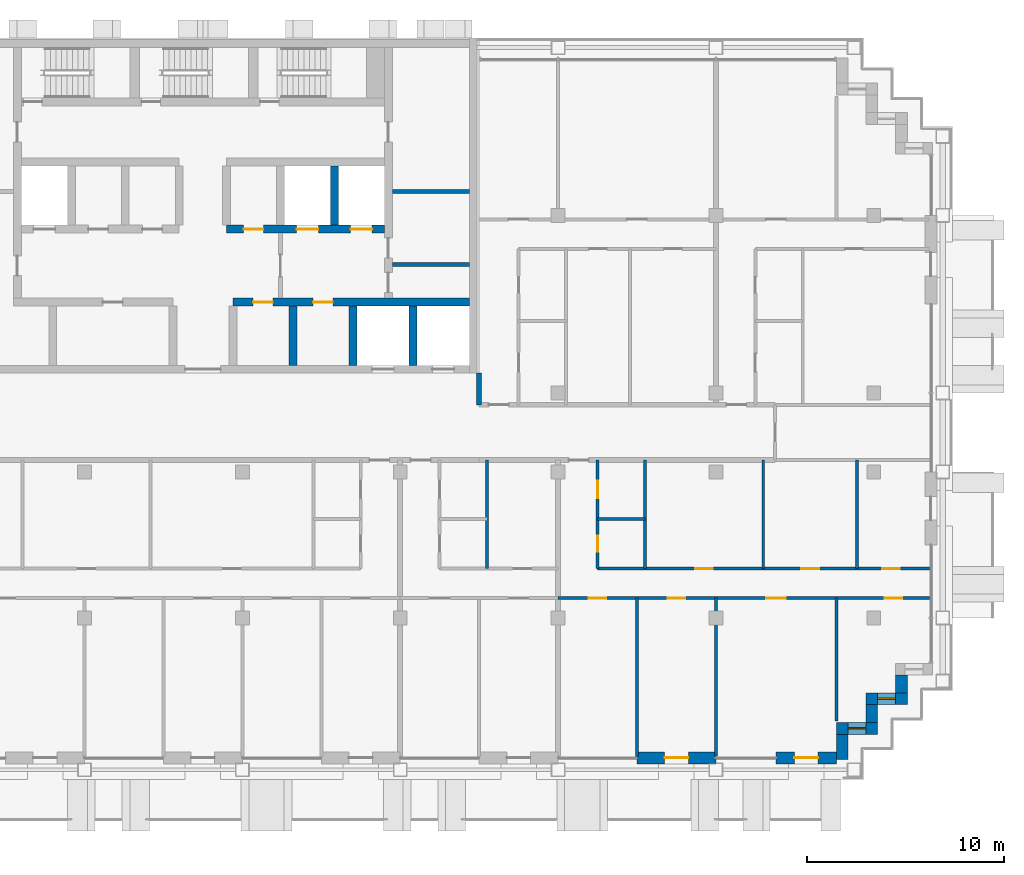
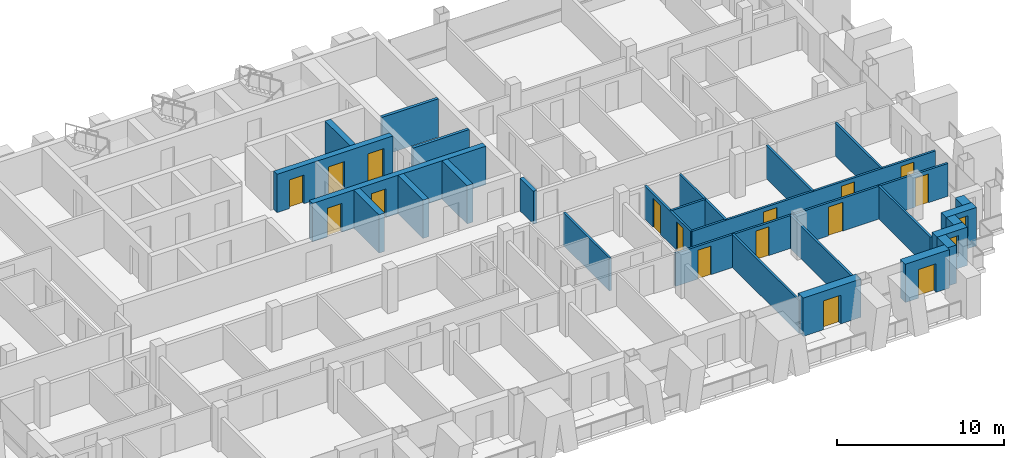
# One storey, part 10 of 16: 27 walls, 16 doors, 2 windows, 18 openings.
"""IFC4 building model written with IfcOpenShell, lengths in metres."""

from ifc_helpers import new_model, si_unit, direction, frame, frame_2d, origin, place, context, subcontext, project, spatial, rectangle, extrude, material, layer, layer_set, type_object, element, fill, save


model = new_model("IFC4")

# Units and contexts
model_context = context("Model", 3, precision=1e-05, world=origin(), true_north=direction((0.0, 1.0)))
body_context = subcontext(model_context, "Body", "Model", "MODEL_VIEW")
ifc_project = project(units=[si_unit("LENGTHUNIT", "METRE"), si_unit("AREAUNIT", "SQUARE_METRE"), si_unit("VOLUMEUNIT", "CUBIC_METRE"), si_unit("PLANEANGLEUNIT", "RADIAN"), si_unit("MASSUNIT", "GRAM", prefix="KILO")], contexts=[model_context])

# Site, building, storey
site_placement = place(None, origin())
site = spatial("IfcSite", under=ifc_project, at=site_placement, CompositionType="ELEMENT")
building_placement = place(site_placement, origin())
building = spatial("IfcBuilding", under=site, at=building_placement, Name="Vidyagriha Tower", CompositionType="ELEMENT")
storey_placement = place(building_placement, frame((0.0, 0.0, 190.89990234375)))
storey = spatial("IfcBuildingStorey", under=building, at=storey_placement, Name="L50", CompositionType="ELEMENT", Elevation=190.89990234375)

# Wall, opening, door
ifc_material_1 = material(Name="Precast concrete C40/50 with brick facing", Category="concrete")
ifc_layer_1 = layer(ifc_material_1, 0.60009765625)
ifc_layer_set_1 = layer_set([ifc_layer_1], Name="Precast concrete C40/50 with brick facing")
wall_type_1 = type_object("IfcWallType", Name="Brick-faced precast wall 600", PredefinedType="STANDARD", material=ifc_layer_set_1)
wall_1_placement = place(storey_placement, frame((22.0, -16.5, 0.0)))
wall_1 = element("IfcWall", 1, at=wall_1_placement, inside=storey, type_object=wall_type_1, Name="Brick door bay wall L50 R23.12", PredefinedType="STANDARD", context=body_context, shape_type="SweptSolid", body=[
    extrude(rectangle(XDim=4.0, YDim=0.60009765625, at=frame_2d((2.0, 0.0))), origin(), (0.0, 0.0, 1.0), 2.800048828125),
])
opening_1_placement = place(wall_1_placement, frame((1.39990234375, 0.0, 0.0)))
opening_1 = element("IfcOpeningElement", 2, at=opening_1_placement, cuts=wall_1, Name="Opening D50-77", PredefinedType="OPENING", context=body_context, shape_type="SweptSolid", body=[
    extrude(rectangle(XDim=1.199951171875, YDim=2.10009765625, at=frame_2d((0.60009765625, 1.050048828125))), frame((0.0, 0.31005859375, 0.0), z_axis=(0.0, -1.0, 0.0), x_axis=(1.0, 0.0, 0.0)), (0.0, 0.0, 1.0), 0.6201171875),
])
ifc_material_2 = material(Name="Aluminium framed glazed sliding door", Category="aluminium")
door_type_1 = type_object("IfcDoorType", Name="Balcony sliding door 1200x2100", OperationType="NOTDEFINED", PredefinedType="DOOR", material=ifc_material_2)
door_1_placement = place(opening_1_placement, origin())
door_1 = element("IfcDoor", 3, at=door_1_placement, inside=storey, type_object=door_type_1, Name="Door D50-77", OperationType="SLIDING_TO_LEFT", OverallHeight=2.10009765625, OverallWidth=1.199951171875, PredefinedType="DOOR", context=body_context, shape_type="SweptSolid", body=[
    extrude(rectangle(XDim=1.199951171875, YDim=2.10009765625, at=frame_2d((0.60009765625, 1.050048828125))), frame((0.0, 0.02490234375, 0.0), z_axis=(0.0, -1.0, 0.0), x_axis=(1.0, 0.0, 0.0)), (0.0, 0.0, 1.0), 0.050048828125),
])
fill(opening_1, door_1)

wall_2_placement = place(storey_placement, frame((29.050048828125, -16.5, 0.0)))
wall_2 = element("IfcWall", 4, at=wall_2_placement, inside=storey, type_object=wall_type_1, Name="Brick door bay wall L50 R23.14", PredefinedType="STANDARD", context=body_context, shape_type="SweptSolid", body=[
    extrude(rectangle(XDim=3.050048828125, YDim=0.60009765625, at=frame_2d((1.52490234375, 0.0))), origin(), (0.0, 0.0, 1.0), 2.800048828125),
])
opening_2_placement = place(wall_2_placement, frame((0.925048828125, 0.0, 0.0)))
opening_2 = element("IfcOpeningElement", 5, at=opening_2_placement, cuts=wall_2, Name="Opening D50-78", PredefinedType="OPENING", context=body_context, shape_type="SweptSolid", body=[
    extrude(rectangle(XDim=1.199951171875, YDim=2.10009765625, at=frame_2d((0.60009765625, 1.050048828125))), frame((0.0, 0.31005859375, 0.0), z_axis=(0.0, -1.0, 0.0), x_axis=(1.0, 0.0, 0.0)), (0.0, 0.0, 1.0), 0.6201171875),
])
door_2_placement = place(opening_2_placement, origin())
door_2 = element("IfcDoor", 6, at=door_2_placement, inside=storey, type_object=door_type_1, Name="Door D50-78", OperationType="SLIDING_TO_LEFT", OverallHeight=2.10009765625, OverallWidth=1.199951171875, PredefinedType="DOOR", context=body_context, shape_type="SweptSolid", body=[
    extrude(rectangle(XDim=1.199951171875, YDim=2.10009765625, at=frame_2d((0.60009765625, 1.050048828125))), frame((0.0, 0.02490234375, 0.0), z_axis=(0.0, -1.0, 0.0), x_axis=(1.0, 0.0, 0.0)), (0.0, 0.0, 1.0), 0.050048828125),
])
fill(opening_2, door_2)

# Wall
wall_3_placement = place(storey_placement, frame((32.39990234375, -16.580078125, 0.0), z_axis=(0.0, 0.0, 1.0), x_axis=(0.0, 1.0, 0.0)))
element("IfcWall", 7, at=wall_3_placement, inside=storey, type_object=wall_type_1, Name="Stepped corner wall L50 R24", PredefinedType="STANDARD", context=body_context, shape_type="SweptSolid", body=[
    extrude(rectangle(XDim=1.280029296875, YDim=0.60009765625, at=frame_2d((0.64013671875, 0.0))), origin(), (0.0, 0.0, 1.0), 2.800048828125),
])

# Wall, opening, window
wall_4_placement = place(storey_placement, frame((32.10009765625, -15.0, 0.0)))
wall_4 = element("IfcWall", 8, at=wall_4_placement, inside=storey, type_object=wall_type_1, Name="Stepped corner wall L50 R25", PredefinedType="STANDARD", context=body_context, shape_type="SweptSolid", body=[
    extrude(rectangle(XDim=2.099853515625, YDim=0.60009765625, at=frame_2d((1.0498046875, 0.0))), origin(), (0.0, 0.0, 1.0), 2.800048828125),
])
opening_3_placement = place(wall_4_placement, frame((0.60009765625, 0.0, 0.89990234375)))
opening_3 = element("IfcOpeningElement", 9, at=opening_3_placement, cuts=wall_4, Name="Opening WN1", PredefinedType="OPENING", context=body_context, shape_type="SweptSolid", body=[
    extrude(rectangle(XDim=0.89990234375, YDim=1.5, at=frame_2d((0.449951171875, 0.75))), frame((0.0, 0.31005859375, 0.0), z_axis=(0.0, -1.0, 0.0), x_axis=(1.0, 0.0, 0.0)), (0.0, 0.0, 1.0), 0.6201171875),
])
ifc_material_3 = material(Name="Aluminium and glass window", Category="aluminium")
window_type = type_object("IfcWindowType", Name="Reveal window 900x1500", PartitioningType="NOTDEFINED", PredefinedType="WINDOW", material=ifc_material_3)
window_1_placement = place(opening_3_placement, origin())
window_1 = element("IfcWindow", 10, at=window_1_placement, inside=storey, type_object=window_type, Name="Reveal window L50 R25", OverallHeight=1.5, OverallWidth=0.89990234375, PartitioningType="SINGLE_PANEL", PredefinedType="WINDOW", context=body_context, shape_type="SweptSolid", body=[
    extrude(rectangle(XDim=0.89990234375, YDim=1.5, at=frame_2d((0.449951171875, 0.75))), frame((0.0, 0.030029296875, 0.0), z_axis=(0.0, -1.0, 0.0), x_axis=(1.0, 0.0, 0.0)), (0.0, 0.0, 1.0), 0.06005859375),
])
fill(opening_3, window_1)

# Wall
wall_5_placement = place(storey_placement, frame((33.89990234375, -14.699951171875, 0.0), z_axis=(0.0, 0.0, 1.0), x_axis=(0.0, 1.0, 0.0)))
element("IfcWall", 11, at=wall_5_placement, inside=storey, type_object=wall_type_1, Name="Stepped corner wall L50 R26", PredefinedType="STANDARD", context=body_context, shape_type="SweptSolid", body=[
    extrude(rectangle(XDim=0.89990234375, YDim=0.60009765625, at=frame_2d((0.449951171875, 0.0))), origin(), (0.0, 0.0, 1.0), 2.800048828125),
])

# Wall, opening, window
wall_6_placement = place(storey_placement, frame((33.60009765625, -13.5, 0.0)))
wall_6 = element("IfcWall", 12, at=wall_6_placement, inside=storey, type_object=wall_type_1, Name="Stepped corner wall L50 R27", PredefinedType="STANDARD", context=body_context, shape_type="SweptSolid", body=[
    extrude(rectangle(XDim=2.099853515625, YDim=0.60009765625, at=frame_2d((1.0498046875, 0.0))), origin(), (0.0, 0.0, 1.0), 2.800048828125),
])
opening_4_placement = place(wall_6_placement, frame((0.60009765625, 0.0, 0.89990234375)))
opening_4 = element("IfcOpeningElement", 13, at=opening_4_placement, cuts=wall_6, Name="Opening WN1", PredefinedType="OPENING", context=body_context, shape_type="SweptSolid", body=[
    extrude(rectangle(XDim=0.89990234375, YDim=1.5, at=frame_2d((0.449951171875, 0.75))), frame((0.0, 0.31005859375, 0.0), z_axis=(0.0, -1.0, 0.0), x_axis=(1.0, 0.0, 0.0)), (0.0, 0.0, 1.0), 0.6201171875),
])
window_2_placement = place(opening_4_placement, origin())
window_2 = element("IfcWindow", 14, at=window_2_placement, inside=storey, type_object=window_type, Name="Reveal window L50 R27", OverallHeight=1.5, OverallWidth=0.89990234375, PartitioningType="SINGLE_PANEL", PredefinedType="WINDOW", context=body_context, shape_type="SweptSolid", body=[
    extrude(rectangle(XDim=0.89990234375, YDim=1.5, at=frame_2d((0.449951171875, 0.75))), frame((0.0, 0.030029296875, 0.0), z_axis=(0.0, -1.0, 0.0), x_axis=(1.0, 0.0, 0.0)), (0.0, 0.0, 1.0), 0.06005859375),
])
fill(opening_4, window_2)

# Wall
wall_7_placement = place(storey_placement, frame((35.39990234375, -13.199951171875, 0.0), z_axis=(0.0, 0.0, 1.0), x_axis=(0.0, 1.0, 0.0)))
element("IfcWall", 15, at=wall_7_placement, inside=storey, type_object=wall_type_1, Name="Stepped corner wall L50 R28", PredefinedType="STANDARD", context=body_context, shape_type="SweptSolid", body=[
    extrude(rectangle(XDim=0.89990234375, YDim=0.60009765625, at=frame_2d((0.449951171875, 0.0))), origin(), (0.0, 0.0, 1.0), 2.800048828125),
])

# Wall, openings, doors
ifc_material_4 = material(Name="Concrete C60/75", Category="concrete")
ifc_layer_2 = layer(ifc_material_4, 0.39990234375)
ifc_layer_set_2 = layer_set([ifc_layer_2], Name="Concrete C60/75")
wall_type_2 = type_object("IfcWallType", Name="Core shear wall 400 mm", PredefinedType="SHEAR", material=ifc_layer_set_2)
wall_8_placement = place(storey_placement, frame((1.522216796875, 6.60009765625, 0.0)))
wall_8 = element("IfcWall", 16, at=wall_8_placement, inside=storey, type_object=wall_type_2, Name="Core lobby south wall east", PredefinedType="SHEAR", context=body_context, shape_type="SweptSolid", body=[
    extrude(rectangle(XDim=11.977783203125, YDim=0.39990234375, at=frame_2d((5.98876953125, 0.0))), origin(), (0.0, 0.0, 1.0), 2.800048828125),
])
opening_5_placement = place(wall_8_placement, frame((1.022216796875, 0.0, 0.0)))
opening_5 = element("IfcOpeningElement", 17, at=opening_5_placement, cuts=wall_8, Name="Opening D50-03", PredefinedType="OPENING", context=body_context, shape_type="SweptSolid", body=[
    extrude(rectangle(XDim=1.0, YDim=2.10009765625, at=frame_2d((0.5, 1.050048828125))), frame((0.0, 0.2099609375, 0.0), z_axis=(0.0, -1.0, 0.0), x_axis=(1.0, 0.0, 0.0)), (0.0, 0.0, 1.0), 0.419921875),
])
opening_6_placement = place(wall_8_placement, frame((4.066650390625, 0.0, 0.0)))
opening_6 = element("IfcOpeningElement", 18, at=opening_6_placement, cuts=wall_8, Name="Opening D50-04", PredefinedType="OPENING", context=body_context, shape_type="SweptSolid", body=[
    extrude(rectangle(XDim=1.0, YDim=2.10009765625, at=frame_2d((0.5, 1.050048828125))), frame((0.0, 0.2099609375, 0.0), z_axis=(0.0, -1.0, 0.0), x_axis=(1.0, 0.0, 0.0)), (0.0, 0.0, 1.0), 0.419921875),
])
ifc_material_5 = material(Name="Hollow metal door leaf")
door_type_2 = type_object("IfcDoorType", Name="Core room door 1000 x 2100 mm EI 60", OperationType="NOTDEFINED", PredefinedType="DOOR", material=ifc_material_5)
door_3_placement = place(opening_5_placement, origin())
door_3 = element("IfcDoor", 19, at=door_3_placement, inside=storey, type_object=door_type_2, Name="Door Storage Room 50.02", OperationType="SINGLE_SWING_RIGHT", OverallHeight=2.10009765625, OverallWidth=1.0, PredefinedType="DOOR", context=body_context, shape_type="SweptSolid", body=[
    extrude(rectangle(XDim=1.0, YDim=2.10009765625, at=frame_2d((0.5, 1.050048828125))), frame((0.0, 0.02490234375, 0.0), z_axis=(0.0, -1.0, 0.0), x_axis=(1.0, 0.0, 0.0)), (0.0, 0.0, 1.0), 0.050048828125),
])
fill(opening_5, door_3)
door_4_placement = place(opening_6_placement, origin())
door_4 = element("IfcDoor", 20, at=door_4_placement, inside=storey, type_object=door_type_2, Name="Door Electrical Room 50.03", OperationType="SINGLE_SWING_RIGHT", OverallHeight=2.10009765625, OverallWidth=1.0, PredefinedType="DOOR", context=body_context, shape_type="SweptSolid", body=[
    extrude(rectangle(XDim=1.0, YDim=2.10009765625, at=frame_2d((0.5, 1.050048828125))), frame((0.0, 0.02490234375, 0.0), z_axis=(0.0, -1.0, 0.0), x_axis=(1.0, 0.0, 0.0)), (0.0, 0.0, 1.0), 0.050048828125),
])
fill(opening_6, door_4)

# Walls
for number, where, z_axis, x_axis, name in (
    (21, (4.566650390625, 3.39990234375, 0.0), (0.0, 0.0, 1.0), (0.0, 1.0, 0.0), "Core bay wall S6"),
    (22, (7.611083984375, 3.39990234375, 0.0), (0.0, 0.0, 1.0), (0.0, 1.0, 0.0), "Core bay wall S7"),
    (23, (10.655517578125, 3.39990234375, 0.0), (0.0, 0.0, 1.0), (0.0, 1.0, 0.0), "Core bay wall S8"),
):
    element("IfcWall", number, at=place(storey_placement, frame(where, z_axis=z_axis, x_axis=x_axis)), inside=storey, type_object=wall_type_2, Name=name, PredefinedType="SHEAR", context=body_context, shape_type="SweptSolid", body=[
        extrude(rectangle(XDim=3.0, YDim=0.39990234375, at=frame_2d((1.5, 0.0))), origin(), (0.0, 0.0, 1.0), 2.800048828125),
    ])

# Wall, openings, doors
wall_9_placement = place(storey_placement, frame((1.199951171875, 10.300048828125, 0.0)))
wall_9 = element("IfcWall", 24, at=wall_9_placement, inside=storey, type_object=wall_type_2, Name="Core row N front wall", PredefinedType="SHEAR", context=body_context, shape_type="SweptSolid", body=[
    extrude(rectangle(XDim=8.0, YDim=0.39990234375, at=frame_2d((4.0, 0.0))), origin(), (0.0, 0.0, 1.0), 2.800048828125),
])
opening_7_placement = place(wall_9_placement, frame((3.550048828125, 0.0, 0.0)))
opening_7 = element("IfcOpeningElement", 25, at=opening_7_placement, cuts=wall_9, Name="Opening LD50-04", PredefinedType="OPENING", context=body_context, shape_type="SweptSolid", body=[
    extrude(rectangle(XDim=1.10009765625, YDim=2.10009765625, at=frame_2d((0.550048828125, 1.050048828125))), frame((0.0, 0.2099609375, 0.0), z_axis=(0.0, -1.0, 0.0), x_axis=(1.0, 0.0, 0.0)), (0.0, 0.0, 1.0), 0.419921875),
])
opening_8_placement = place(wall_9_placement, frame((6.283203125, 0.0, 0.0)))
opening_8 = element("IfcOpeningElement", 26, at=opening_8_placement, cuts=wall_9, Name="Opening LD50-05", PredefinedType="OPENING", context=body_context, shape_type="SweptSolid", body=[
    extrude(rectangle(XDim=1.10009765625, YDim=2.10009765625, at=frame_2d((0.550048828125, 1.050048828125))), frame((0.0, 0.2099609375, 0.0), z_axis=(0.0, -1.0, 0.0), x_axis=(1.0, 0.0, 0.0)), (0.0, 0.0, 1.0), 0.419921875),
])
opening_9_placement = place(wall_9_placement, frame((0.86669921875, 0.0, 0.0)))
opening_9 = element("IfcOpeningElement", 27, at=opening_9_placement, cuts=wall_9, Name="Opening D50-07", PredefinedType="OPENING", context=body_context, shape_type="SweptSolid", body=[
    extrude(rectangle(XDim=1.0, YDim=2.10009765625, at=frame_2d((0.5, 1.050048828125))), frame((0.0, 0.2099609375, 0.0), z_axis=(0.0, -1.0, 0.0), x_axis=(1.0, 0.0, 0.0)), (0.0, 0.0, 1.0), 0.419921875),
])
door_5_placement = place(opening_9_placement, frame((1.0, 0.0, 0.0), z_axis=(0.0, 0.0, 1.0), x_axis=(-1.0, 0.0, 0.0)))
door_5 = element("IfcDoor", 28, at=door_5_placement, inside=storey, type_object=door_type_2, Name="Door Storage Room 50.16", OperationType="SINGLE_SWING_LEFT", OverallHeight=2.10009765625, OverallWidth=1.0, PredefinedType="DOOR", context=body_context, shape_type="SweptSolid", body=[
    extrude(rectangle(XDim=1.0, YDim=2.10009765625, at=frame_2d((0.5, 1.050048828125))), frame((0.0, 0.02490234375, 0.0), z_axis=(0.0, -1.0, 0.0), x_axis=(1.0, 0.0, 0.0)), (0.0, 0.0, 1.0), 0.050048828125),
])
fill(opening_9, door_5)
ifc_material_6 = material(Name="Stainless steel sliding door panel", Category="steel")
door_type_3 = type_object("IfcDoorType", Name="Lift landing door 1100 x 2100 mm EI 90", OperationType="NOTDEFINED", PredefinedType="DOOR", material=ifc_material_6)
door_6_placement = place(opening_7_placement, origin())
door_6 = element("IfcDoor", 29, at=door_6_placement, inside=storey, type_object=door_type_3, Name="Landing door FF1 L50", OperationType="SLIDING_TO_LEFT", OverallHeight=2.10009765625, OverallWidth=1.10009765625, PredefinedType="DOOR", context=body_context, shape_type="SweptSolid", body=[
    extrude(rectangle(XDim=1.10009765625, YDim=2.10009765625, at=frame_2d((0.550048828125, 1.050048828125))), frame((0.0, 0.02490234375, 0.0), z_axis=(0.0, -1.0, 0.0), x_axis=(1.0, 0.0, 0.0)), (0.0, 0.0, 1.0), 0.050048828125),
])
fill(opening_7, door_6)
door_7_placement = place(opening_8_placement, origin())
door_7 = element("IfcDoor", 30, at=door_7_placement, inside=storey, type_object=door_type_3, Name="Landing door FF2 L50", OperationType="SLIDING_TO_LEFT", OverallHeight=2.10009765625, OverallWidth=1.10009765625, PredefinedType="DOOR", context=body_context, shape_type="SweptSolid", body=[
    extrude(rectangle(XDim=1.10009765625, YDim=2.10009765625, at=frame_2d((0.550048828125, 1.050048828125))), frame((0.0, 0.02490234375, 0.0), z_axis=(0.0, -1.0, 0.0), x_axis=(1.0, 0.0, 0.0)), (0.0, 0.0, 1.0), 0.050048828125),
])
fill(opening_8, door_7)

# Walls
wall_10_placement = place(storey_placement, frame((6.666748046875, 10.5, 0.0), z_axis=(0.0, 0.0, 1.0), x_axis=(0.0, 1.0, 0.0)))
element("IfcWall", 31, at=wall_10_placement, inside=storey, type_object=wall_type_2, Name="Core bay wall N6", PredefinedType="SHEAR", context=body_context, shape_type="SweptSolid", body=[
    extrude(rectangle(XDim=3.0, YDim=0.39990234375, at=frame_2d((1.5, 0.0))), origin(), (0.0, 0.0, 1.0), 2.800048828125),
])
ifc_material_7 = material(Name="Fired clay brick masonry", Category="masonry")
ifc_layer_3 = layer(ifc_material_7, 0.25)
ifc_layer_set_3 = layer_set([ifc_layer_3], Name="Fired clay brick masonry")
wall_type_3 = type_object("IfcWallType", Name="Fired clay brick corridor wall 250", PredefinedType="PARTITIONING", material=ifc_layer_set_3)
wall_11_placement = place(storey_placement, frame((14.0, 1.39990234375, 0.0), z_axis=(0.0, 0.0, 1.0), x_axis=(0.0, 1.0, 0.0)))
element("IfcWall", 32, at=wall_11_placement, inside=storey, type_object=wall_type_3, Name="Wall all-L50-w119", PredefinedType="PARTITIONING", context=body_context, shape_type="SweptSolid", body=[
    extrude(rectangle(XDim=1.60009765625, YDim=0.25, at=frame_2d((0.800048828125, 0.0))), origin(), (0.0, 0.0, 1.0), 2.400146484375),
])
ifc_material_8 = material(Name="Gypsum board partition")
ifc_layer_4 = layer(ifc_material_8, 0.14990234375)
ifc_layer_set_4 = layer_set([ifc_layer_4], Name="Gypsum board partition")
wall_type_4 = type_object("IfcWallType", Name="Gypsum board partition 150", PredefinedType="PARTITIONING", material=ifc_layer_set_4)
wall_12_placement = place(storey_placement, frame((14.39990234375, -1.39990234375, 0.0), z_axis=(0.0, 0.0, 1.0), x_axis=(0.0, -1.0, 0.0)))
element("IfcWall", 33, at=wall_12_placement, inside=storey, type_object=wall_type_4, Name="Wall all-L50-w040", PredefinedType="PARTITIONING", context=body_context, shape_type="SweptSolid", body=[
    extrude(rectangle(XDim=5.5, YDim=0.14990234375, at=frame_2d((2.75, 0.0))), origin(), (0.0, 0.0, 1.0), 2.400146484375),
])
wall_13_placement = place(storey_placement, frame((22.39990234375, -4.39990234375, 0.0), z_axis=(0.0, 0.0, 1.0), x_axis=(-1.0, 0.0, 0.0)))
element("IfcWall", 34, at=wall_13_placement, inside=storey, type_object=wall_type_4, Name="Wall all-L50-w052", PredefinedType="PARTITIONING", context=body_context, shape_type="SweptSolid", body=[
    extrude(rectangle(XDim=2.39990234375, YDim=0.14990234375, at=frame_2d((1.199951171875, 0.0))), origin(), (0.0, 0.0, 1.0), 2.400146484375),
])
for number, where, z_axis, x_axis, name in (
    (35, (22.39990234375, -1.39990234375, 0.0), (0.0, 0.0, 1.0), (0.0, -1.0, 0.0), "Wall all-L50-w053"),
    (36, (28.39990234375, -1.39990234375, 0.0), (0.0, 0.0, 1.0), (0.0, -1.0, 0.0), "Wall all-L50-w054"),
    (37, (33.14990234375, -1.39990234375, 0.0), (0.0, 0.0, 1.0), (0.0, -1.0, 0.0), "Wall all-L50-w055"),
):
    element("IfcWall", number, at=place(storey_placement, frame(where, z_axis=z_axis, x_axis=x_axis)), inside=storey, type_object=wall_type_4, Name=name, PredefinedType="PARTITIONING", context=body_context, shape_type="SweptSolid", body=[
        extrude(rectangle(XDim=5.5, YDim=0.14990234375, at=frame_2d((2.75, 0.0))), origin(), (0.0, 0.0, 1.0), 2.400146484375),
    ])

# Wall, openings, doors
wall_14_placement = place(storey_placement, frame((20.0, -6.89990234375, 0.0)))
wall_14 = element("IfcWall", 38, at=wall_14_placement, inside=storey, type_object=wall_type_4, Name="Wall all-L50-w056", PredefinedType="PARTITIONING", context=body_context, shape_type="SweptSolid", body=[
    extrude(rectangle(XDim=16.820068359375, YDim=0.14990234375, at=frame_2d((8.41015625, 0.0))), origin(), (0.0, 0.0, 1.0), 2.400146484375),
])
opening_10_placement = place(wall_14_placement, frame((4.949951171875, 0.0, 0.0)))
opening_10 = element("IfcOpeningElement", 39, at=opening_10_placement, cuts=wall_14, Name="Opening D50-42", PredefinedType="OPENING", context=body_context, shape_type="SweptSolid", body=[
    extrude(rectangle(XDim=0.89990234375, YDim=2.10009765625, at=frame_2d((0.449951171875, 1.050048828125))), frame((0.0, 0.0849609375, 0.0), z_axis=(0.0, -1.0, 0.0), x_axis=(1.0, 0.0, 0.0)), (0.0, 0.0, 1.0), 0.169921875),
])
opening_11_placement = place(wall_14_placement, frame((10.324951171875, 0.0, 0.0)))
opening_11 = element("IfcOpeningElement", 40, at=opening_11_placement, cuts=wall_14, Name="Opening D50-43", PredefinedType="OPENING", context=body_context, shape_type="SweptSolid", body=[
    extrude(rectangle(XDim=0.89990234375, YDim=2.10009765625, at=frame_2d((0.449951171875, 1.050048828125))), frame((0.0, 0.0849609375, 0.0), z_axis=(0.0, -1.0, 0.0), x_axis=(1.0, 0.0, 0.0)), (0.0, 0.0, 1.0), 0.169921875),
])
opening_12_placement = place(wall_14_placement, frame((14.425048828125, 0.0, 0.0)))
opening_12 = element("IfcOpeningElement", 41, at=opening_12_placement, cuts=wall_14, Name="Opening D50-44", PredefinedType="OPENING", context=body_context, shape_type="SweptSolid", body=[
    extrude(rectangle(XDim=0.89990234375, YDim=2.10009765625, at=frame_2d((0.449951171875, 1.050048828125))), frame((0.0, 0.0849609375, 0.0), z_axis=(0.0, -1.0, 0.0), x_axis=(1.0, 0.0, 0.0)), (0.0, 0.0, 1.0), 0.169921875),
])
ifc_material_9 = material(Name="Timber door leaf", Category="wood")
door_type_4 = type_object("IfcDoorType", Name="Room door 900x2100", OperationType="NOTDEFINED", PredefinedType="DOOR", material=ifc_material_9)
door_8_placement = place(opening_10_placement, origin())
door_8 = element("IfcDoor", 42, at=door_8_placement, inside=storey, type_object=door_type_4, Name="Door D50-42", OperationType="SINGLE_SWING_RIGHT", OverallHeight=2.10009765625, OverallWidth=0.89990234375, PredefinedType="DOOR", context=body_context, shape_type="SweptSolid", body=[
    extrude(rectangle(XDim=0.89990234375, YDim=2.10009765625, at=frame_2d((0.449951171875, 1.050048828125))), frame((0.0, 0.02490234375, 0.0), z_axis=(0.0, -1.0, 0.0), x_axis=(1.0, 0.0, 0.0)), (0.0, 0.0, 1.0), 0.050048828125),
])
fill(opening_10, door_8)
door_9_placement = place(opening_11_placement, origin())
door_9 = element("IfcDoor", 43, at=door_9_placement, inside=storey, type_object=door_type_4, Name="Door D50-43", OperationType="SINGLE_SWING_RIGHT", OverallHeight=2.10009765625, OverallWidth=0.89990234375, PredefinedType="DOOR", context=body_context, shape_type="SweptSolid", body=[
    extrude(rectangle(XDim=0.89990234375, YDim=2.10009765625, at=frame_2d((0.449951171875, 1.050048828125))), frame((0.0, 0.02490234375, 0.0), z_axis=(0.0, -1.0, 0.0), x_axis=(1.0, 0.0, 0.0)), (0.0, 0.0, 1.0), 0.050048828125),
])
fill(opening_11, door_9)
door_10_placement = place(opening_12_placement, origin())
door_10 = element("IfcDoor", 44, at=door_10_placement, inside=storey, type_object=door_type_4, Name="Door D50-44", OperationType="SINGLE_SWING_RIGHT", OverallHeight=2.10009765625, OverallWidth=0.89990234375, PredefinedType="DOOR", context=body_context, shape_type="SweptSolid", body=[
    extrude(rectangle(XDim=0.89990234375, YDim=2.10009765625, at=frame_2d((0.449951171875, 1.050048828125))), frame((0.0, 0.02490234375, 0.0), z_axis=(0.0, -1.0, 0.0), x_axis=(1.0, 0.0, 0.0)), (0.0, 0.0, 1.0), 0.050048828125),
])
fill(opening_12, door_10)

wall_15_placement = place(storey_placement, frame((36.820068359375, -8.39990234375, 0.0), z_axis=(0.0, 0.0, 1.0), x_axis=(-1.0, 0.0, 0.0)))
wall_15 = element("IfcWall", 45, at=wall_15_placement, inside=storey, type_object=wall_type_4, Name="Wall all-L50-w060", PredefinedType="PARTITIONING", context=body_context, shape_type="SweptSolid", body=[
    extrude(rectangle(XDim=18.820068359375, YDim=0.14990234375, at=frame_2d((9.41015625, 0.0))), origin(), (0.0, 0.0, 1.0), 2.400146484375),
])
opening_13_placement = place(wall_15_placement, frame((16.3701171875, 0.0, 0.0)))
opening_13 = element("IfcOpeningElement", 46, at=opening_13_placement, cuts=wall_15, Name="Opening D50-45", PredefinedType="OPENING", context=body_context, shape_type="SweptSolid", body=[
    extrude(rectangle(XDim=0.89990234375, YDim=2.10009765625, at=frame_2d((0.449951171875, 1.050048828125))), frame((0.0, 0.0849609375, 0.0), z_axis=(0.0, -1.0, 0.0), x_axis=(1.0, 0.0, 0.0)), (0.0, 0.0, 1.0), 0.169921875),
])
opening_14_placement = place(wall_15_placement, frame((12.3701171875, 0.0, 0.0)))
opening_14 = element("IfcOpeningElement", 47, at=opening_14_placement, cuts=wall_15, Name="Opening D50-46", PredefinedType="OPENING", context=body_context, shape_type="SweptSolid", body=[
    extrude(rectangle(XDim=0.89990234375, YDim=2.10009765625, at=frame_2d((0.449951171875, 1.050048828125))), frame((0.0, 0.0849609375, 0.0), z_axis=(0.0, -1.0, 0.0), x_axis=(1.0, 0.0, 0.0)), (0.0, 0.0, 1.0), 0.169921875),
])
opening_15_placement = place(wall_15_placement, frame((7.27001953125, 0.0, 0.0)))
opening_15 = element("IfcOpeningElement", 48, at=opening_15_placement, cuts=wall_15, Name="Opening D50-47", PredefinedType="OPENING", context=body_context, shape_type="SweptSolid", body=[
    extrude(rectangle(XDim=1.0, YDim=2.10009765625, at=frame_2d((0.5, 1.050048828125))), frame((0.0, 0.0849609375, 0.0), z_axis=(0.0, -1.0, 0.0), x_axis=(1.0, 0.0, 0.0)), (0.0, 0.0, 1.0), 0.169921875),
])
opening_16_placement = place(wall_15_placement, frame((1.373046875, 0.0, 0.0)))
opening_16 = element("IfcOpeningElement", 49, at=opening_16_placement, cuts=wall_15, Name="Opening D50-48", PredefinedType="OPENING", context=body_context, shape_type="SweptSolid", body=[
    extrude(rectangle(XDim=0.89990234375, YDim=2.10009765625, at=frame_2d((0.449951171875, 1.050048828125))), frame((0.0, 0.0849609375, 0.0), z_axis=(0.0, -1.0, 0.0), x_axis=(1.0, 0.0, 0.0)), (0.0, 0.0, 1.0), 0.169921875),
])
ifc_material_10 = material(Name="Timber door leaf", Category="wood")
door_type_5 = type_object("IfcDoorType", Name="Room door 1000x2100", OperationType="NOTDEFINED", PredefinedType="DOOR", material=ifc_material_10)
door_11_placement = place(opening_15_placement, origin())
door_11 = element("IfcDoor", 50, at=door_11_placement, inside=storey, type_object=door_type_5, Name="Door D50-47", OperationType="SINGLE_SWING_RIGHT", OverallHeight=2.10009765625, OverallWidth=1.0, PredefinedType="DOOR", context=body_context, shape_type="SweptSolid", body=[
    extrude(rectangle(XDim=1.0, YDim=2.10009765625, at=frame_2d((0.5, 1.050048828125))), frame((0.0, 0.02490234375, 0.0), z_axis=(0.0, -1.0, 0.0), x_axis=(1.0, 0.0, 0.0)), (0.0, 0.0, 1.0), 0.050048828125),
])
fill(opening_15, door_11)
door_12_placement = place(opening_13_placement, origin())
door_12 = element("IfcDoor", 51, at=door_12_placement, inside=storey, type_object=door_type_4, Name="Door D50-45", OperationType="SINGLE_SWING_RIGHT", OverallHeight=2.10009765625, OverallWidth=0.89990234375, PredefinedType="DOOR", context=body_context, shape_type="SweptSolid", body=[
    extrude(rectangle(XDim=0.89990234375, YDim=2.10009765625, at=frame_2d((0.449951171875, 1.050048828125))), frame((0.0, 0.02490234375, 0.0), z_axis=(0.0, -1.0, 0.0), x_axis=(1.0, 0.0, 0.0)), (0.0, 0.0, 1.0), 0.050048828125),
])
fill(opening_13, door_12)
door_13_placement = place(opening_14_placement, origin())
door_13 = element("IfcDoor", 52, at=door_13_placement, inside=storey, type_object=door_type_4, Name="Door D50-46", OperationType="SINGLE_SWING_RIGHT", OverallHeight=2.10009765625, OverallWidth=0.89990234375, PredefinedType="DOOR", context=body_context, shape_type="SweptSolid", body=[
    extrude(rectangle(XDim=0.89990234375, YDim=2.10009765625, at=frame_2d((0.449951171875, 1.050048828125))), frame((0.0, 0.02490234375, 0.0), z_axis=(0.0, -1.0, 0.0), x_axis=(1.0, 0.0, 0.0)), (0.0, 0.0, 1.0), 0.050048828125),
])
fill(opening_14, door_13)
door_14_placement = place(opening_16_placement, origin())
door_14 = element("IfcDoor", 53, at=door_14_placement, inside=storey, type_object=door_type_4, Name="Door D50-48", OperationType="SINGLE_SWING_LEFT", OverallHeight=2.10009765625, OverallWidth=0.89990234375, PredefinedType="DOOR", context=body_context, shape_type="SweptSolid", body=[
    extrude(rectangle(XDim=0.89990234375, YDim=2.10009765625, at=frame_2d((0.449951171875, 1.050048828125))), frame((0.0, 0.02490234375, 0.0), z_axis=(0.0, -1.0, 0.0), x_axis=(1.0, 0.0, 0.0)), (0.0, 0.0, 1.0), 0.050048828125),
])
fill(opening_16, door_14)

# Walls
wall_16_placement = place(storey_placement, frame((22.0, -8.39990234375, 0.0), z_axis=(0.0, 0.0, 1.0), x_axis=(0.0, -1.0, 0.0)))
element("IfcWall", 54, at=wall_16_placement, inside=storey, type_object=wall_type_4, Name="Wall all-L50-w065", PredefinedType="PARTITIONING", context=body_context, shape_type="SweptSolid", body=[
    extrude(rectangle(XDim=8.02099609375, YDim=0.14990234375, at=frame_2d((4.010498046875, 0.0))), origin(), (0.0, 0.0, 1.0), 2.400146484375),
])
wall_17_placement = place(storey_placement, frame((26.0, -8.39990234375, 0.0), z_axis=(0.0, 0.0, 1.0), x_axis=(0.0, -1.0, 0.0)))
element("IfcWall", 55, at=wall_17_placement, inside=storey, type_object=wall_type_4, Name="Wall all-L50-w066", PredefinedType="PARTITIONING", context=body_context, shape_type="SweptSolid", body=[
    extrude(rectangle(XDim=8.010009765625, YDim=0.14990234375, at=frame_2d((4.0048828125, 0.0))), origin(), (0.0, 0.0, 1.0), 2.400146484375),
])
wall_18_placement = place(storey_placement, frame((32.10009765625, -8.39990234375, 0.0), z_axis=(0.0, 0.0, 1.0), x_axis=(0.0, -1.0, 0.0)))
element("IfcWall", 56, at=wall_18_placement, inside=storey, type_object=wall_type_4, Name="Wall all-L50-w067", PredefinedType="PARTITIONING", context=body_context, shape_type="SweptSolid", body=[
    extrude(rectangle(XDim=6.22021484375, YDim=0.14990234375, at=frame_2d((3.110107421875, 0.0))), origin(), (0.0, 0.0, 1.0), 2.400146484375),
])

# Wall, openings, doors
ifc_material_11 = material(Name="Moisture resistant gypsum board partition")
ifc_layer_5 = layer(ifc_material_11, 0.14990234375)
ifc_layer_set_5 = layer_set([ifc_layer_5], Name="Moisture resistant gypsum board partition")
wall_type_5 = type_object("IfcWallType", Name="Gypsum board wet-area partition 150", PredefinedType="PARTITIONING", material=ifc_layer_set_5)
wall_19_placement = place(storey_placement, frame((20.0, -1.39990234375, 0.0), z_axis=(0.0, 0.0, 1.0), x_axis=(0.0, -1.0, 0.0)))
wall_19 = element("IfcWall", 57, at=wall_19_placement, inside=storey, type_object=wall_type_5, Name="Wall all-L50-w049", PredefinedType="PARTITIONING", context=body_context, shape_type="SweptSolid", body=[
    extrude(rectangle(XDim=5.5, YDim=0.14990234375, at=frame_2d((2.75, 0.0))), origin(), (0.0, 0.0, 1.0), 2.400146484375),
])
opening_17_placement = place(wall_19_placement, frame((1.050048828125, 0.0, 0.0)))
opening_17 = element("IfcOpeningElement", 58, at=opening_17_placement, cuts=wall_19, Name="Opening D50-40", PredefinedType="OPENING", context=body_context, shape_type="SweptSolid", body=[
    extrude(rectangle(XDim=0.89990234375, YDim=2.10009765625, at=frame_2d((0.449951171875, 1.050048828125))), frame((0.0, 0.0849609375, 0.0), z_axis=(0.0, -1.0, 0.0), x_axis=(1.0, 0.0, 0.0)), (0.0, 0.0, 1.0), 0.169921875),
])
opening_18_placement = place(wall_19_placement, frame((3.85009765625, 0.0, 0.0)))
opening_18 = element("IfcOpeningElement", 59, at=opening_18_placement, cuts=wall_19, Name="Opening D50-41", PredefinedType="OPENING", context=body_context, shape_type="SweptSolid", body=[
    extrude(rectangle(XDim=0.800048828125, YDim=2.10009765625, at=frame_2d((0.39990234375, 1.050048828125))), frame((0.0, 0.0849609375, 0.0), z_axis=(0.0, -1.0, 0.0), x_axis=(1.0, 0.0, 0.0)), (0.0, 0.0, 1.0), 0.169921875),
])
ifc_material_12 = material(Name="Timber door leaf", Category="wood")
door_type_6 = type_object("IfcDoorType", Name="Bathroom door 800x2100", OperationType="NOTDEFINED", PredefinedType="DOOR", material=ifc_material_12)
door_15_placement = place(opening_18_placement, origin())
door_15 = element("IfcDoor", 60, at=door_15_placement, inside=storey, type_object=door_type_6, Name="Door D50-41", OperationType="SINGLE_SWING_RIGHT", OverallHeight=2.10009765625, OverallWidth=0.800048828125, PredefinedType="DOOR", context=body_context, shape_type="SweptSolid", body=[
    extrude(rectangle(XDim=0.800048828125, YDim=2.10009765625, at=frame_2d((0.39990234375, 1.050048828125))), frame((0.0, 0.02490234375, 0.0), z_axis=(0.0, -1.0, 0.0), x_axis=(1.0, 0.0, 0.0)), (0.0, 0.0, 1.0), 0.050048828125),
])
fill(opening_18, door_15)
ifc_material_13 = material(Name="Timber door leaf", Category="wood")
door_type_7 = type_object("IfcDoorType", Name="Kitchen door 900x2100", OperationType="NOTDEFINED", PredefinedType="DOOR", material=ifc_material_13)
door_16_placement = place(opening_17_placement, origin())
door_16 = element("IfcDoor", 61, at=door_16_placement, inside=storey, type_object=door_type_7, Name="Door D50-40", OperationType="SINGLE_SWING_LEFT", OverallHeight=2.10009765625, OverallWidth=0.89990234375, PredefinedType="DOOR", context=body_context, shape_type="SweptSolid", body=[
    extrude(rectangle(XDim=0.89990234375, YDim=2.10009765625, at=frame_2d((0.449951171875, 1.050048828125))), frame((0.0, 0.02490234375, 0.0), z_axis=(0.0, -1.0, 0.0), x_axis=(1.0, 0.0, 0.0)), (0.0, 0.0, 1.0), 0.050048828125),
])
fill(opening_17, door_16)

# Walls
ifc_material_14 = material(Name="Blockwork 15 MPa", Category="masonry")
ifc_layer_6 = layer(ifc_material_14, 0.199951171875)
ifc_layer_set_6 = layer_set([ifc_layer_6], Name="Blockwork 15 MPa")
wall_type_6 = type_object("IfcWallType", Name="Service room partition 200 mm", PredefinedType="PARTITIONING", material=ifc_layer_set_6)
for number, where, name in (
    (62, (9.60009765625, 8.5, 0.0), "Core room partition E1"),
    (63, (9.60009765625, 12.199951171875, 0.0), "Core room partition E2"),
):
    element("IfcWall", number, at=place(storey_placement, frame(where)), inside=storey, type_object=wall_type_6, Name=name, PredefinedType="PARTITIONING", context=body_context, shape_type="SweptSolid", body=[
        extrude(rectangle(XDim=3.89990234375, YDim=0.199951171875, at=frame_2d((1.949951171875, 0.0))), origin(), (0.0, 0.0, 1.0), 2.800048828125),
    ])

save(model, "model.ifc")
